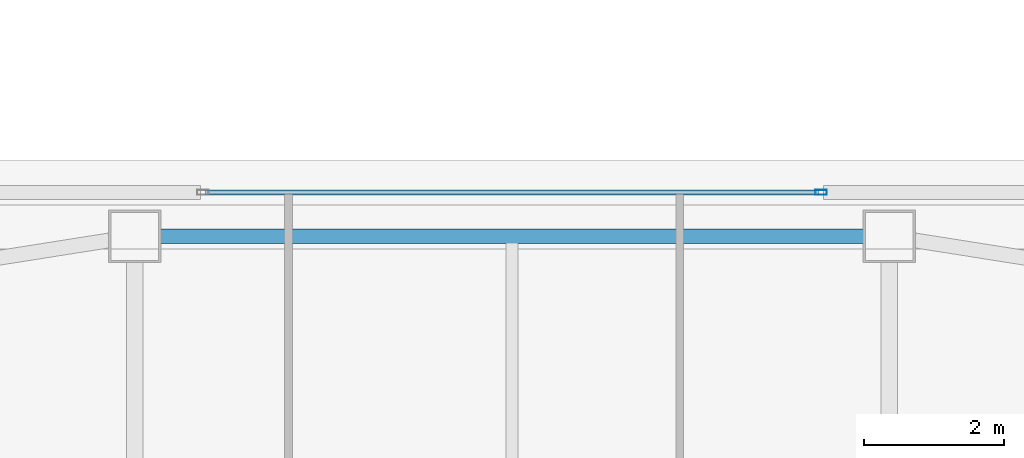
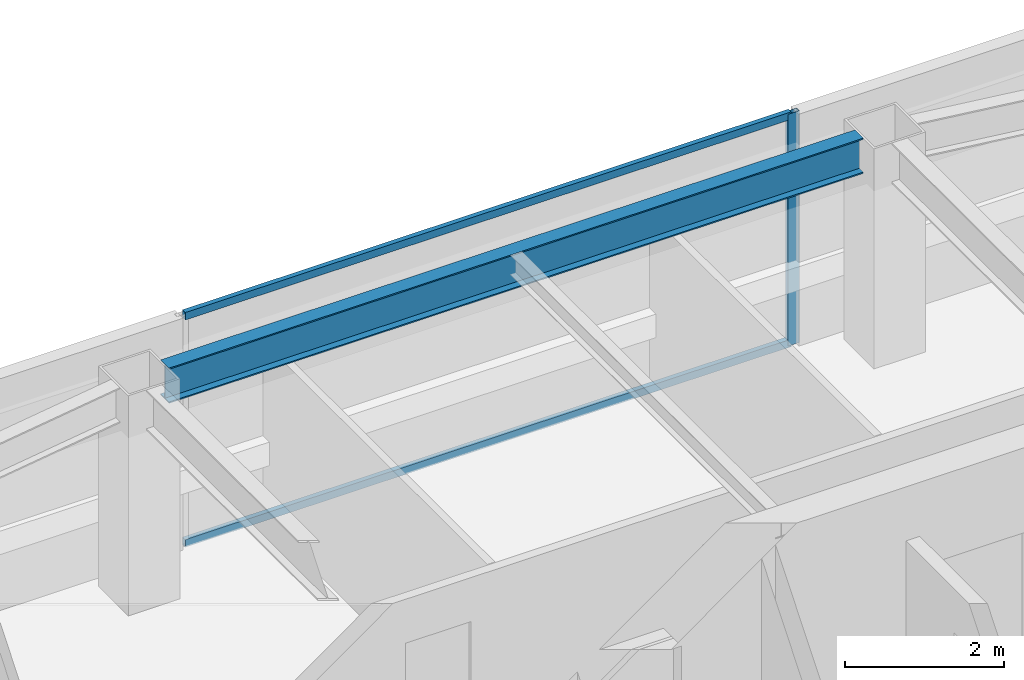
# One storey, part 11 of 31: 3 members, 1 beam, 1 element without a shape of its own.
"""IFC4 building model written with IfcOpenShell, lengths in metres."""

from ifc_helpers import new_model, si_unit, direction, frame, origin, origin_2d, place, context, subcontext, project, spatial, hollow_rectangle, i_section, extrude, material, material_profile, profile_set, type_object, element, aggregate, save


model = new_model("IFC4")

# Units and contexts
model_context = context("Model", 3, precision=1e-05, world=origin(), true_north=direction((0.0, 1.0)))
body_context = subcontext(model_context, "Body", "Model", "MODEL_VIEW")
ifc_project = project(units=[si_unit("LENGTHUNIT", "METRE"), si_unit("AREAUNIT", "SQUARE_METRE"), si_unit("VOLUMEUNIT", "CUBIC_METRE"), si_unit("PLANEANGLEUNIT", "RADIAN"), si_unit("MASSUNIT", "GRAM", prefix="KILO")], contexts=[model_context])

# Site, building, storey
site_placement = place(None, origin())
site = spatial("IfcSite", under=ifc_project, at=site_placement, CompositionType="ELEMENT")
building_placement = place(site_placement, origin())
building = spatial("IfcBuilding", under=site, at=building_placement, Name="Tashvorn Skyway Center", CompositionType="ELEMENT")
storey_placement = place(building_placement, frame((0.0, 0.0, 266.949951171875)))
storey = spatial("IfcBuildingStorey", under=building, at=storey_placement, Name="L72", CompositionType="ELEMENT", Elevation=266.949951171875)

# Beam
ifc_material_1 = material(Name="Steel ASTM A992 Grade 50", Category="steel")
ifc_material_profile_1 = material_profile(ifc_material_1, i_section(OverallWidth=0.2109375, OverallDepth=0.5390625, WebThickness=0.01171875, FlangeThickness=0.018798828125, at=origin_2d()), Name="W21X73")
ifc_profile_set_1 = profile_set([ifc_material_profile_1], Name="Steel ASTM A992 Grade 50")
beam_type = type_object("IfcBeamType", Name="BM-SPANDREL-W21X73", PredefinedType="SPANDREL", material=ifc_profile_set_1)
beam_placement = place(storey_placement, frame((47.030029296875, 46.550048828125, 3.1005859375), z_axis=(-1.0, 0.0, 0.0), x_axis=(0.0, -1.0, 0.0)))
element("IfcBeam", 1, at=beam_placement, inside=storey, type_object=beam_type, Name="Tower 1 L72 Spandrel Beam 08", PredefinedType="SPANDREL", context=body_context, shape_type="SweptSolid", body=[
    extrude(i_section(OverallWidth=0.2109375, OverallDepth=0.5390625, WebThickness=0.01171875, FlangeThickness=0.018798828125, at=origin_2d()), origin(), (0.0, 0.0, 1.0), 10.06005859375),
])

# Curtain wall, members
ifc_material_2 = material(Name="Thermally broken bronze-anodized aluminium 6063-T6", Category="aluminium")
curtain_wall_type = type_object("IfcCurtainWallType", Name="CW-CW-Z5", PredefinedType="NOTDEFINED", material=ifc_material_2)
curtain_wall_placement = place(storey_placement, origin())
curtain_wall = element("IfcCurtainWall", 2, at=curtain_wall_placement, inside=storey, type_object=curtain_wall_type, Name="Tower 1 L72 North Unitised Curtain Wall Glazing Group 2", PredefinedType="NOTDEFINED")
ifc_material_profile_2 = material_profile(ifc_material_2, hollow_rectangle(XDim=0.070068359375, YDim=0.1650390625, WallThickness=0.00390625, at=origin_2d()), Name="ALU-MULL-70x165")
ifc_profile_set_2 = profile_set([ifc_material_profile_2], Name="Thermally broken bronze-anodized aluminium 6063-T6")
member_type_1 = type_object("IfcMemberType", Name="CWM-CW-Z5", PredefinedType="MULLION", material=ifc_profile_set_2)
member_1_placement = place(storey_placement, frame((46.425048828125, 47.179931640625, 0.0), z_axis=(0.0, 0.0, 1.0), x_axis=(0.0, 1.0, 0.0)))
member_1 = element("IfcMember", 3, at=member_1_placement, type_object=member_type_1, Name="CW-Z5 mullion 2", PredefinedType="MULLION", context=body_context, shape_type="SweptSolid", body=[
    extrude(hollow_rectangle(XDim=0.070068359375, YDim=0.1650390625, WallThickness=0.00390625, at=origin_2d()), origin(), (0.0, 0.0, 1.0), 3.550048828125),
])
ifc_material_profile_3 = material_profile(ifc_material_2, hollow_rectangle(XDim=0.070068359375, YDim=0.114990234375, WallThickness=0.00390625, at=origin_2d()), Name="ALU-TRAN-70x115")
ifc_profile_set_3 = profile_set([ifc_material_profile_3], Name="Thermally broken bronze-anodized aluminium 6063-T6")
member_type_2 = type_object("IfcMemberType", Name="CWT-CW-Z5", PredefinedType="USERDEFINED", material=ifc_profile_set_3)
member_2_placement = place(storey_placement, frame((37.610107421875, 47.179931640625, 0.03515625), z_axis=(1.0, 0.0, 0.0), x_axis=(0.0, 1.0, 0.0)))
member_2 = element("IfcMember", 4, at=member_2_placement, type_object=member_type_2, Name="CW-Z5 transom 1.1", ObjectType="TRANSOM", PredefinedType="USERDEFINED", context=body_context, shape_type="SweptSolid", body=[
    extrude(hollow_rectangle(XDim=0.070068359375, YDim=0.114990234375, WallThickness=0.00390625, at=origin_2d()), origin(), (0.0, 0.0, 1.0), 8.77978515625),
])
member_3_placement = place(storey_placement, frame((37.610107421875, 47.179931640625, 3.51513671875), z_axis=(1.0, 0.0, 0.0), x_axis=(0.0, 1.0, 0.0)))
member_3 = element("IfcMember", 5, at=member_3_placement, type_object=member_type_2, Name="CW-Z5 transom 1.2", ObjectType="TRANSOM", PredefinedType="USERDEFINED", context=body_context, shape_type="SweptSolid", body=[
    extrude(hollow_rectangle(XDim=0.070068359375, YDim=0.114990234375, WallThickness=0.00390625, at=origin_2d()), origin(), (0.0, 0.0, 1.0), 8.77978515625),
])
aggregate(curtain_wall, [member_1, member_2, member_3])

save(model, "model.ifc")
